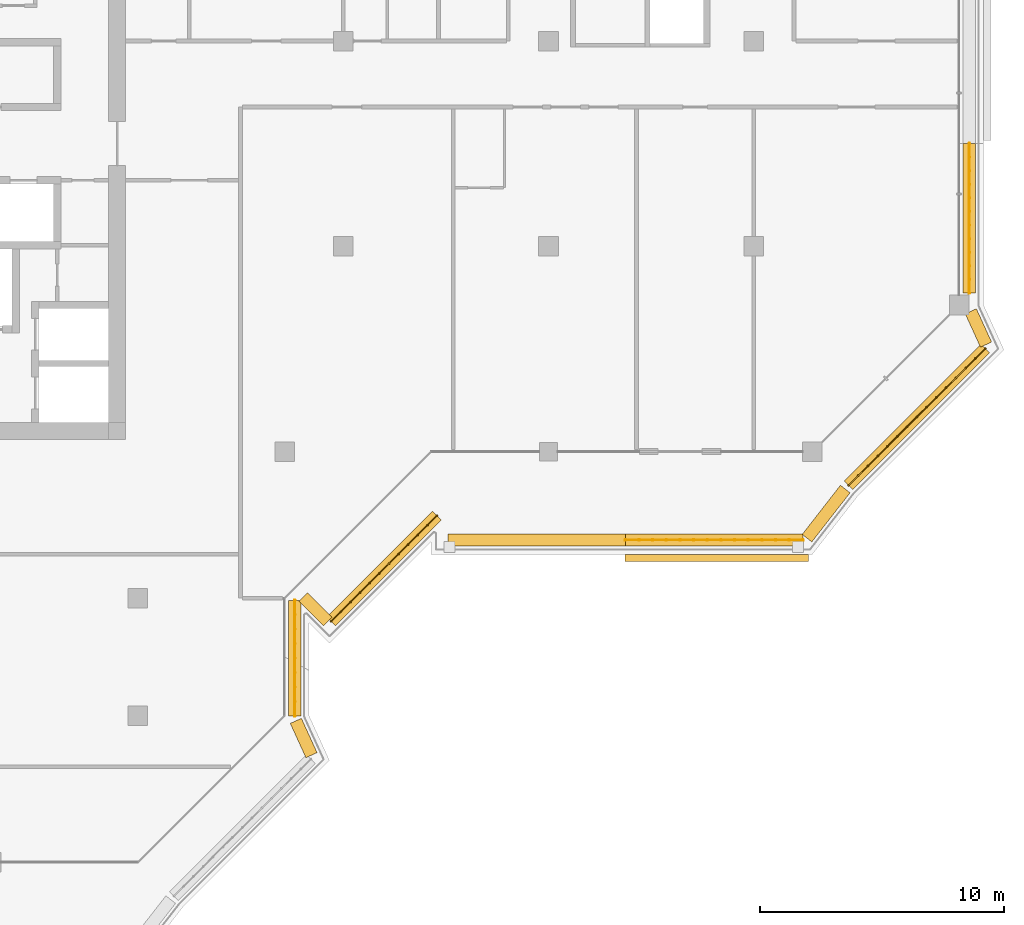
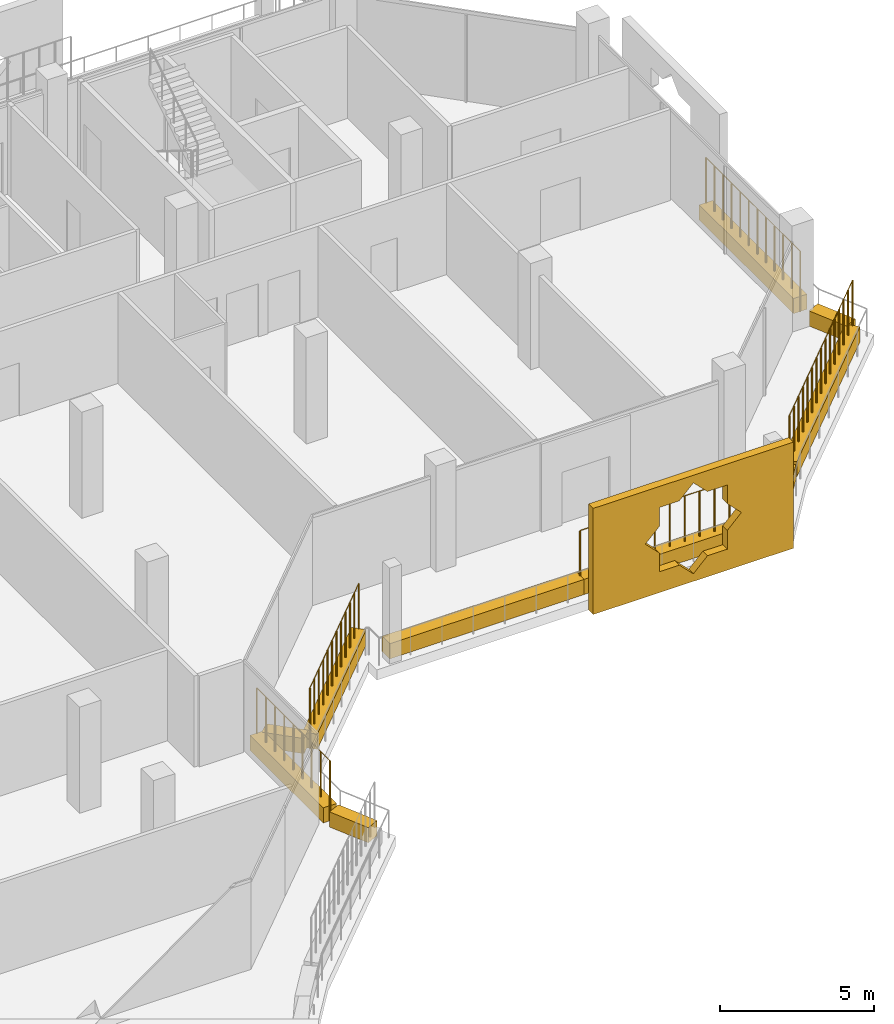
# One storey, part 18 of 21: 11 coverings, 5 railings.
"""IFC4 building model written with IfcOpenShell, lengths in metres."""

from ifc_helpers import new_model, si_unit, direction, frame, origin, origin_2d, place, context, subcontext, project, spatial, polyline, rectangle, circle, outline, extrude, material, material_profile, profile_set, type_object, element, save


model = new_model("IFC4")

# Units and contexts
model_context = context("Model", 3, precision=1e-05, world=origin(), true_north=direction((0.0, 1.0)))
body_context = subcontext(model_context, "Body", "Model", "MODEL_VIEW")
ifc_project = project(units=[si_unit("LENGTHUNIT", "METRE"), si_unit("AREAUNIT", "SQUARE_METRE"), si_unit("VOLUMEUNIT", "CUBIC_METRE"), si_unit("PLANEANGLEUNIT", "RADIAN"), si_unit("MASSUNIT", "GRAM", prefix="KILO")], contexts=[model_context])

# Site, building, storey
site_placement = place(None, origin())
site = spatial("IfcSite", under=ifc_project, at=site_placement, CompositionType="ELEMENT")
building_placement = place(site_placement, origin())
building = spatial("IfcBuilding", under=site, at=building_placement, Name="Kawkab Arch Medical Tower", CompositionType="ELEMENT")
storey_placement = place(building_placement, frame((0.0, 0.0, 323.800048828125)))
storey = spatial("IfcBuildingStorey", under=building, at=storey_placement, Name="L75", CompositionType="ELEMENT", Elevation=323.800048828125)

# Coverings
ifc_material_1 = material(Name="Bronze anodised aluminium mashrabiya panel, eight-point star pattern", Category="aluminium")
ifc_material_profile_1 = material_profile(ifc_material_1, outline(polyline([(-3.75, -2.10009765625), (3.75, -2.10009765625), (3.75, 2.10009765625), (-3.75, 2.10009765625), (-3.75, -2.10009765625)]), holes=[polyline([(1.800048828125, 0.0), (1.272705078125, 0.527099609375), (1.272705078125, 1.272705078125), (0.527099609375, 1.272705078125), (0.0, 1.800048828125), (-0.527099609375, 1.272705078125), (-1.272705078125, 1.272705078125), (-1.272705078125, 0.527099609375), (-1.800048828125, 0.0), (-1.272705078125, -0.527099609375), (-1.272705078125, -1.272705078125), (-0.527099609375, -1.272705078125), (0.0, -1.800048828125), (0.527099609375, -1.272705078125), (1.272705078125, -1.272705078125), (1.272705078125, -0.527099609375), (1.800048828125, 0.0)])]), Name="Mashrabiya panel 7500x4200")
ifc_profile_set_1 = profile_set([ifc_material_profile_1], Name="Bronze anodised aluminium mashrabiya panel, eight-point star pattern")
covering_type_1 = type_object("IfcCoveringType", Name="Mashrabiya panel 7500 x 4200", PredefinedType="USERDEFINED", material=ifc_profile_set_1)
covering_1_placement = place(storey_placement, frame((48.87890625, -29.39990234375, 1.699951171875), z_axis=(0.0, -1.0, 0.0), x_axis=(1.0, 0.0, 0.0)))
element("IfcCovering", 1, at=covering_1_placement, inside=storey, type_object=covering_type_1, Name="Mashrabiya panel L75.LOG-01-01.7", ObjectType="SCREEN", PredefinedType="USERDEFINED", context=body_context, shape_type="SweptSolid", body=[
    extrude(outline(polyline([(-3.75, -2.10009765625), (3.75, -2.10009765625), (3.75, 2.10009765625), (-3.75, 2.10009765625), (-3.75, -2.10009765625)]), holes=[polyline([(1.800048828125, 0.0), (1.272705078125, 0.527099609375), (1.272705078125, 1.272705078125), (0.527099609375, 1.272705078125), (0.0, 1.800048828125), (-0.527099609375, 1.272705078125), (-1.272705078125, 1.272705078125), (-1.272705078125, 0.527099609375), (-1.800048828125, 0.0), (-1.272705078125, -0.527099609375), (-1.272705078125, -1.272705078125), (-0.527099609375, -1.272705078125), (0.0, -1.800048828125), (0.527099609375, -1.272705078125), (1.272705078125, -1.272705078125), (1.272705078125, -0.527099609375), (1.800048828125, 0.0)])]), origin(), (0.0, 0.0, 1.0), 0.300048828125),
])
ifc_material_2 = material(Name="Planting soil in a precast trough", Category="concrete")
ifc_material_profile_2 = material_profile(ifc_material_2, rectangle(XDim=0.5, YDim=0.60009765625, at=origin_2d()), Name="Trough 500x600")
ifc_profile_set_2 = profile_set([ifc_material_profile_2], Name="Planting soil in a precast trough")
covering_type_2 = type_object("IfcCoveringType", Name="Planter trough 500 x 600", PredefinedType="USERDEFINED", material=ifc_profile_set_2)
covering_2_placement = place(storey_placement, frame((59.219970703125, -12.60009765625, 0.300048828125), z_axis=(0.0, -1.0, 0.0), x_axis=(1.0, 0.0, 0.0)))
element("IfcCovering", 2, at=covering_2_placement, inside=storey, type_object=covering_type_2, Name="Planter L75.LOG-01-01.23", ObjectType="PLANTER", PredefinedType="USERDEFINED", context=body_context, shape_type="SweptSolid", body=[
    extrude(rectangle(XDim=0.5, YDim=0.60009765625, at=origin_2d()), origin(), (0.0, 0.0, 1.0), 6.119873046875),
])
covering_3_placement = place(storey_placement, frame((59.280029296875, -19.4580078125, 0.300048828125), z_axis=(0.415189748133, -0.909734836667, 0.0), x_axis=(0.909734836667, 0.415189748133, 0.0)))
element("IfcCovering", 3, at=covering_3_placement, inside=storey, type_object=covering_type_2, Name="Planter L75.LOG-01-01.24", ObjectType="PLANTER", PredefinedType="USERDEFINED", context=body_context, shape_type="SweptSolid", body=[
    extrude(rectangle(XDim=0.5, YDim=0.60009765625, at=origin_2d()), origin(), (0.0, 0.0, 1.0), 1.498291015625),
])
covering_4_placement = place(storey_placement, frame((59.873046875, -20.98291015625, 0.300048828125), z_axis=(-0.707106781187, -0.707106781187, 0.0), x_axis=(0.707106781187, -0.707106781187, 0.0)))
element("IfcCovering", 4, at=covering_4_placement, inside=storey, type_object=covering_type_2, Name="Planter L75.LOG-01-01.25", ObjectType="PLANTER", PredefinedType="USERDEFINED", context=body_context, shape_type="SweptSolid", body=[
    extrude(rectangle(XDim=0.5, YDim=0.60009765625, at=origin_2d()), origin(), (0.0, 0.0, 1.0), 7.919677734375),
])
covering_5_placement = place(storey_placement, frame((54.14111328125, -26.73193359375, 0.300048828125), z_axis=(-0.614099956103, -0.789228258436, 0.0), x_axis=(0.789228258436, -0.614099956103, 0.0)))
element("IfcCovering", 5, at=covering_5_placement, inside=storey, type_object=covering_type_2, Name="Planter L75.LOG-01-01.26", ObjectType="PLANTER", PredefinedType="USERDEFINED", context=body_context, shape_type="SweptSolid", body=[
    extrude(rectangle(XDim=0.5, YDim=0.60009765625, at=origin_2d()), origin(), (0.0, 0.0, 1.0), 2.545654296875),
])
for number, where, z_axis, x_axis, name in (
    (6, (52.416015625, -28.820068359375, 0.300048828125), (-1.0, 0.0, 0.0), (0.0, -1.0, 0.0), "Planter L75.LOG-01-01.27"),
    (7, (45.14794921875, -28.820068359375, 0.300048828125), (-1.0, 0.0, 0.0), (0.0, -1.0, 0.0), "Planter L75.LOG-01-01.28"),
):
    element("IfcCovering", number, at=place(storey_placement, frame(where, z_axis=z_axis, x_axis=x_axis)), inside=storey, type_object=covering_type_2, Name=name, ObjectType="PLANTER", PredefinedType="USERDEFINED", context=body_context, shape_type="SweptSolid", body=[
        extrude(rectangle(XDim=0.5, YDim=0.60009765625, at=origin_2d()), origin(), (0.0, 0.0, 1.0), 7.26806640625),
    ])
covering_6_placement = place(storey_placement, frame((37.43701171875, -27.820068359375, 0.300048828125), z_axis=(-0.707206504313, -0.707007043994, 0.0), x_axis=(0.707007043994, -0.707206504313, 0.0)))
element("IfcCovering", 8, at=covering_6_placement, inside=storey, type_object=covering_type_2, Name="Planter L75.LOG-01-01.29", ObjectType="PLANTER", PredefinedType="USERDEFINED", context=body_context, shape_type="SweptSolid", body=[
    extrude(rectangle(XDim=0.5, YDim=0.60009765625, at=origin_2d()), origin(), (0.0, 0.0, 1.0), 6.1201171875),
])
covering_7_placement = place(storey_placement, frame((32.967041015625, -32.14697265625, 0.300048828125), z_axis=(-0.707192746389, 0.707020805532, 0.0), x_axis=(-0.707020805532, -0.707192746389, 0.0)))
element("IfcCovering", 9, at=covering_7_placement, inside=storey, type_object=covering_type_2, Name="Planter L75.LOG-01-01.30", ObjectType="PLANTER", PredefinedType="USERDEFINED", context=body_context, shape_type="SweptSolid", body=[
    extrude(rectangle(XDim=0.5, YDim=0.60009765625, at=origin_2d()), origin(), (0.0, 0.0, 1.0), 1.419921875),
])
covering_8_placement = place(storey_placement, frame((31.6201171875, -31.284912109375, 0.300048828125), z_axis=(0.0, -1.0, 0.0), x_axis=(1.0, 0.0, 0.0)))
element("IfcCovering", 10, at=covering_8_placement, inside=storey, type_object=covering_type_2, Name="Planter L75.LOG-01-01.31", ObjectType="PLANTER", PredefinedType="USERDEFINED", context=body_context, shape_type="SweptSolid", body=[
    extrude(rectangle(XDim=0.5, YDim=0.60009765625, at=origin_2d()), origin(), (0.0, 0.0, 1.0), 4.740966796875),
])
covering_9_placement = place(storey_placement, frame((31.660888671875, -36.217041015625, 0.300048828125), z_axis=(0.415363486165, -0.909655525109, 0.0), x_axis=(0.909655525109, 0.415363486165, 0.0)))
element("IfcCovering", 11, at=covering_9_placement, inside=storey, type_object=covering_type_2, Name="Planter L75.LOG-01-01.32", ObjectType="PLANTER", PredefinedType="USERDEFINED", context=body_context, shape_type="SweptSolid", body=[
    extrude(rectangle(XDim=0.5, YDim=0.60009765625, at=origin_2d()), origin(), (0.0, 0.0, 1.0), 1.54345703125),
])

# Railings
ifc_material_3 = material(Name="Bronze anodised aluminium trellis for climbing plants", Category="aluminium")
railing_type = type_object("IfcRailingType", Name="Planting trellis 2400", PredefinedType="USERDEFINED", material=ifc_material_3)
railing_1_placement = place(storey_placement, frame((59.219970703125, -12.60009765625, 0.0)))
element("IfcRailing", 12, at=railing_1_placement, inside=storey, type_object=railing_type, Name="Planting trellis L75.LOG-01-01.23", ObjectType="TRELLIS", PredefinedType="USERDEFINED", context=body_context, shape_type="SweptSolid", body=[
    extrude(circle(Radius=0.01513671875, at=origin_2d()), frame((0.0, 0.0, 2.384765625), z_axis=(0.0, -1.0, 0.0), x_axis=(1.0, 0.0, 0.0)), (0.0, 0.0, 1.0), 6.119873046875),
    extrude(circle(Radius=0.030029296875, at=origin_2d()), origin(), (0.0, 0.0, 1.0), 2.369873046875),
    extrude(circle(Radius=0.030029296875, at=origin_2d()), frame((0.0, -0.556396484375, 0.0)), (0.0, 0.0, 1.0), 2.369873046875),
    extrude(circle(Radius=0.030029296875, at=origin_2d()), frame((0.0, -1.11279296875, 0.0)), (0.0, 0.0, 1.0), 2.369873046875),
    extrude(circle(Radius=0.030029296875, at=origin_2d()), frame((0.0, -1.6689453125, 0.0)), (0.0, 0.0, 1.0), 2.369873046875),
    extrude(circle(Radius=0.030029296875, at=origin_2d()), frame((0.0, -2.225341796875, 0.0)), (0.0, 0.0, 1.0), 2.369873046875),
    extrude(circle(Radius=0.030029296875, at=origin_2d()), frame((0.0, -2.78173828125, 0.0)), (0.0, 0.0, 1.0), 2.369873046875),
    extrude(circle(Radius=0.030029296875, at=origin_2d()), frame((0.0, -3.338134765625, 0.0)), (0.0, 0.0, 1.0), 2.369873046875),
    extrude(circle(Radius=0.030029296875, at=origin_2d()), frame((0.0, -3.89453125, 0.0)), (0.0, 0.0, 1.0), 2.369873046875),
    extrude(circle(Radius=0.030029296875, at=origin_2d()), frame((0.0, -4.450927734375, 0.0)), (0.0, 0.0, 1.0), 2.369873046875),
    extrude(circle(Radius=0.030029296875, at=origin_2d()), frame((0.0, -5.007080078125, 0.0)), (0.0, 0.0, 1.0), 2.369873046875),
    extrude(circle(Radius=0.030029296875, at=origin_2d()), frame((0.0, -5.5634765625, 0.0)), (0.0, 0.0, 1.0), 2.369873046875),
    extrude(circle(Radius=0.030029296875, at=origin_2d()), frame((0.0, -6.119873046875, 0.0)), (0.0, 0.0, 1.0), 2.369873046875),
])
railing_2_placement = place(storey_placement, frame((59.873046875, -20.98291015625, 0.0)))
element("IfcRailing", 13, at=railing_2_placement, inside=storey, type_object=railing_type, Name="Planting trellis L75.LOG-01-01.25", ObjectType="TRELLIS", PredefinedType="USERDEFINED", context=body_context, shape_type="SweptSolid", body=[
    extrude(circle(Radius=0.01513671875, at=origin_2d()), frame((0.0, 0.0, 2.384765625), z_axis=(-0.707106781187, -0.707106781187, 0.0), x_axis=(0.707106781187, -0.707106781187, 0.0)), (0.0, 0.0, 1.0), 7.919677734375),
    extrude(circle(Radius=0.030029296875, at=origin_2d()), origin(), (0.0, 0.0, 1.0), 2.369873046875),
    extrude(circle(Radius=0.030029296875, at=origin_2d()), frame((-0.39990234375, -0.39990234375, 0.0)), (0.0, 0.0, 1.0), 2.369873046875),
    extrude(circle(Radius=0.030029296875, at=origin_2d()), frame((-0.800048828125, -0.800048828125, 0.0)), (0.0, 0.0, 1.0), 2.369873046875),
    extrude(circle(Radius=0.030029296875, at=origin_2d()), frame((-1.199951171875, -1.199951171875, 0.0)), (0.0, 0.0, 1.0), 2.369873046875),
    extrude(circle(Radius=0.030029296875, at=origin_2d()), frame((-1.60009765625, -1.60009765625, 0.0)), (0.0, 0.0, 1.0), 2.369873046875),
    extrude(circle(Radius=0.030029296875, at=origin_2d()), frame((-2.0, -2.0, 0.0)), (0.0, 0.0, 1.0), 2.369873046875),
    extrude(circle(Radius=0.030029296875, at=origin_2d()), frame((-2.400146484375, -2.400146484375, 0.0)), (0.0, 0.0, 1.0), 2.369873046875),
    extrude(circle(Radius=0.030029296875, at=origin_2d()), frame((-2.800048828125, -2.800048828125, 0.0)), (0.0, 0.0, 1.0), 2.369873046875),
    extrude(circle(Radius=0.030029296875, at=origin_2d()), frame((-3.199951171875, -3.199951171875, 0.0)), (0.0, 0.0, 1.0), 2.369873046875),
    extrude(circle(Radius=0.030029296875, at=origin_2d()), frame((-3.60009765625, -3.60009765625, 0.0)), (0.0, 0.0, 1.0), 2.369873046875),
    extrude(circle(Radius=0.030029296875, at=origin_2d()), frame((-4.0, -4.0, 0.0)), (0.0, 0.0, 1.0), 2.369873046875),
    extrude(circle(Radius=0.030029296875, at=origin_2d()), frame((-4.400146484375, -4.400146484375, 0.0)), (0.0, 0.0, 1.0), 2.369873046875),
    extrude(circle(Radius=0.030029296875, at=origin_2d()), frame((-4.800048828125, -4.800048828125, 0.0)), (0.0, 0.0, 1.0), 2.369873046875),
    extrude(circle(Radius=0.030029296875, at=origin_2d()), frame((-5.2001953125, -5.2001953125, 0.0)), (0.0, 0.0, 1.0), 2.369873046875),
    extrude(circle(Radius=0.030029296875, at=origin_2d()), frame((-5.60009765625, -5.60009765625, 0.0)), (0.0, 0.0, 1.0), 2.369873046875),
])
railing_3_placement = place(storey_placement, frame((52.416015625, -28.820068359375, 0.0)))
element("IfcRailing", 14, at=railing_3_placement, inside=storey, type_object=railing_type, Name="Planting trellis L75.LOG-01-01.27", ObjectType="TRELLIS", PredefinedType="USERDEFINED", context=body_context, shape_type="SweptSolid", body=[
    extrude(circle(Radius=0.01513671875, at=origin_2d()), frame((0.0, 0.0, 2.384765625), z_axis=(-1.0, 0.0, 0.0), x_axis=(0.0, -1.0, 0.0)), (0.0, 0.0, 1.0), 7.26806640625),
    extrude(circle(Radius=0.030029296875, at=origin_2d()), origin(), (0.0, 0.0, 1.0), 2.369873046875),
    extrude(circle(Radius=0.030029296875, at=origin_2d()), frame((-0.55908203125, 0.0, 0.0)), (0.0, 0.0, 1.0), 2.369873046875),
    extrude(circle(Radius=0.030029296875, at=origin_2d()), frame((-1.1181640625, 0.0, 0.0)), (0.0, 0.0, 1.0), 2.369873046875),
    extrude(circle(Radius=0.030029296875, at=origin_2d()), frame((-1.67724609375, 0.0, 0.0)), (0.0, 0.0, 1.0), 2.369873046875),
    extrude(circle(Radius=0.030029296875, at=origin_2d()), frame((-2.236328125, 0.0, 0.0)), (0.0, 0.0, 1.0), 2.369873046875),
    extrude(circle(Radius=0.030029296875, at=origin_2d()), frame((-2.79541015625, 0.0, 0.0)), (0.0, 0.0, 1.0), 2.369873046875),
    extrude(circle(Radius=0.030029296875, at=origin_2d()), frame((-3.3544921875, 0.0, 0.0)), (0.0, 0.0, 1.0), 2.369873046875),
    extrude(circle(Radius=0.030029296875, at=origin_2d()), frame((-3.91357421875, 0.0, 0.0)), (0.0, 0.0, 1.0), 2.369873046875),
    extrude(circle(Radius=0.030029296875, at=origin_2d()), frame((-4.47265625, 0.0, 0.0)), (0.0, 0.0, 1.0), 2.369873046875),
    extrude(circle(Radius=0.030029296875, at=origin_2d()), frame((-5.03173828125, 0.0, 0.0)), (0.0, 0.0, 1.0), 2.369873046875),
    extrude(circle(Radius=0.030029296875, at=origin_2d()), frame((-5.5908203125, 0.0, 0.0)), (0.0, 0.0, 1.0), 2.369873046875),
    extrude(circle(Radius=0.030029296875, at=origin_2d()), frame((-6.14990234375, 0.0, 0.0)), (0.0, 0.0, 1.0), 2.369873046875),
    extrude(circle(Radius=0.030029296875, at=origin_2d()), frame((-6.708984375, 0.0, 0.0)), (0.0, 0.0, 1.0), 2.369873046875),
    extrude(circle(Radius=0.030029296875, at=origin_2d()), frame((-7.26806640625, 0.0, 0.0)), (0.0, 0.0, 1.0), 2.369873046875),
])
railing_4_placement = place(storey_placement, frame((37.43701171875, -27.820068359375, 0.0)))
element("IfcRailing", 15, at=railing_4_placement, inside=storey, type_object=railing_type, Name="Planting trellis L75.LOG-01-01.29", ObjectType="TRELLIS", PredefinedType="USERDEFINED", context=body_context, shape_type="SweptSolid", body=[
    extrude(circle(Radius=0.01513671875, at=origin_2d()), frame((0.0, 0.0, 2.384765625), z_axis=(-0.707206504313, -0.707007043994, 0.0), x_axis=(0.707007043994, -0.707206504313, 0.0)), (0.0, 0.0, 1.0), 6.1201171875),
    extrude(circle(Radius=0.030029296875, at=origin_2d()), origin(), (0.0, 0.0, 1.0), 2.369873046875),
    extrude(circle(Radius=0.030029296875, at=origin_2d()), frame((-0.3935546875, -0.393310546875, 0.0)), (0.0, 0.0, 1.0), 2.369873046875),
    extrude(circle(Radius=0.030029296875, at=origin_2d()), frame((-0.786865234375, -0.78662109375, 0.0)), (0.0, 0.0, 1.0), 2.369873046875),
    extrude(circle(Radius=0.030029296875, at=origin_2d()), frame((-1.180419921875, -1.18017578125, 0.0)), (0.0, 0.0, 1.0), 2.369873046875),
    extrude(circle(Radius=0.030029296875, at=origin_2d()), frame((-1.573974609375, -1.573486328125, 0.0)), (0.0, 0.0, 1.0), 2.369873046875),
    extrude(circle(Radius=0.030029296875, at=origin_2d()), frame((-1.96728515625, -1.966796875, 0.0)), (0.0, 0.0, 1.0), 2.369873046875),
    extrude(circle(Radius=0.030029296875, at=origin_2d()), frame((-2.36083984375, -2.360107421875, 0.0)), (0.0, 0.0, 1.0), 2.369873046875),
    extrude(circle(Radius=0.030029296875, at=origin_2d()), frame((-2.754150390625, -2.75341796875, 0.0)), (0.0, 0.0, 1.0), 2.369873046875),
    extrude(circle(Radius=0.030029296875, at=origin_2d()), frame((-3.147705078125, -3.146728515625, 0.0)), (0.0, 0.0, 1.0), 2.369873046875),
    extrude(circle(Radius=0.030029296875, at=origin_2d()), frame((-3.541259765625, -3.540283203125, 0.0)), (0.0, 0.0, 1.0), 2.369873046875),
    extrude(circle(Radius=0.030029296875, at=origin_2d()), frame((-3.9345703125, -3.93359375, 0.0)), (0.0, 0.0, 1.0), 2.369873046875),
    extrude(circle(Radius=0.030029296875, at=origin_2d()), frame((-4.328125, -4.326904296875, 0.0)), (0.0, 0.0, 1.0), 2.369873046875),
])
railing_5_placement = place(storey_placement, frame((31.6201171875, -31.284912109375, 0.0)))
element("IfcRailing", 16, at=railing_5_placement, inside=storey, type_object=railing_type, Name="Planting trellis L75.LOG-01-01.31", ObjectType="TRELLIS", PredefinedType="USERDEFINED", context=body_context, shape_type="SweptSolid", body=[
    extrude(circle(Radius=0.01513671875, at=origin_2d()), frame((0.0, 0.0, 2.384765625), z_axis=(0.0, -1.0, 0.0), x_axis=(1.0, 0.0, 0.0)), (0.0, 0.0, 1.0), 4.740966796875),
    extrude(circle(Radius=0.030029296875, at=origin_2d()), origin(), (0.0, 0.0, 1.0), 2.369873046875),
    extrude(circle(Radius=0.030029296875, at=origin_2d()), frame((0.0, -0.592529296875, 0.0)), (0.0, 0.0, 1.0), 2.369873046875),
    extrude(circle(Radius=0.030029296875, at=origin_2d()), frame((0.0, -1.185302734375, 0.0)), (0.0, 0.0, 1.0), 2.369873046875),
    extrude(circle(Radius=0.030029296875, at=origin_2d()), frame((0.0, -1.77783203125, 0.0)), (0.0, 0.0, 1.0), 2.369873046875),
    extrude(circle(Radius=0.030029296875, at=origin_2d()), frame((0.0, -2.37060546875, 0.0)), (0.0, 0.0, 1.0), 2.369873046875),
    extrude(circle(Radius=0.030029296875, at=origin_2d()), frame((0.0, -2.963134765625, 0.0)), (0.0, 0.0, 1.0), 2.369873046875),
    extrude(circle(Radius=0.030029296875, at=origin_2d()), frame((0.0, -3.5556640625, 0.0)), (0.0, 0.0, 1.0), 2.369873046875),
    extrude(circle(Radius=0.030029296875, at=origin_2d()), frame((0.0, -4.1484375, 0.0)), (0.0, 0.0, 1.0), 2.369873046875),
    extrude(circle(Radius=0.030029296875, at=origin_2d()), frame((0.0, -4.740966796875, 0.0)), (0.0, 0.0, 1.0), 2.369873046875),
])

save(model, "model.ifc")
